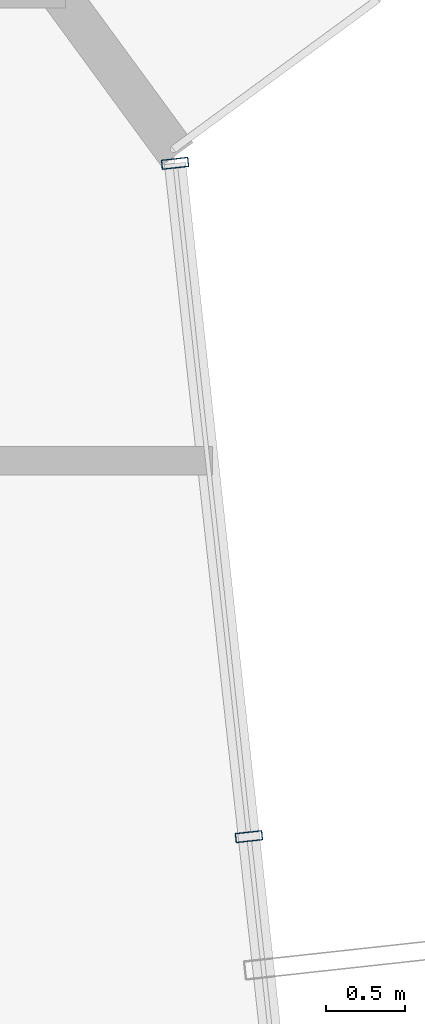
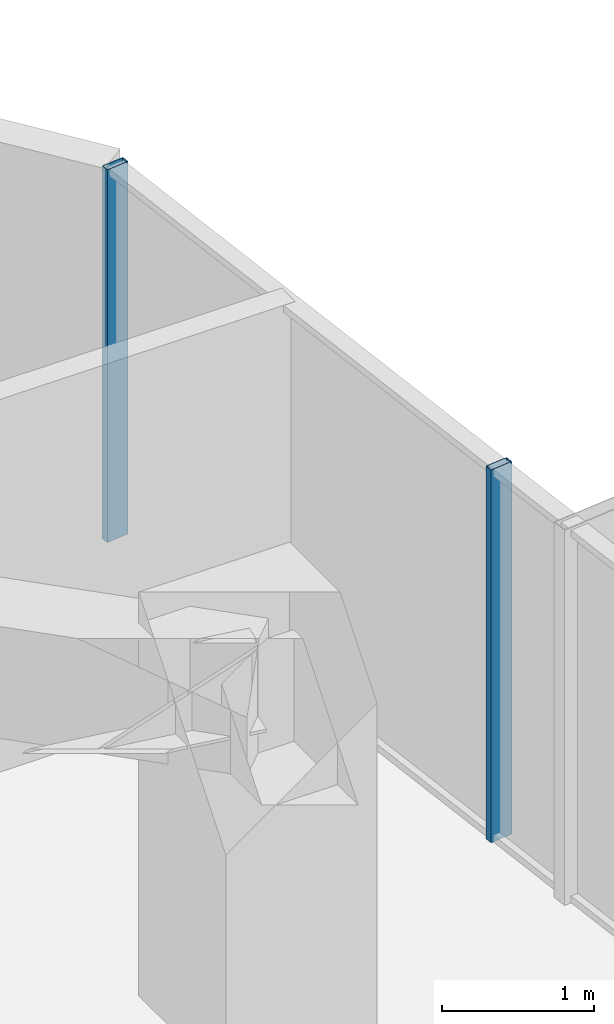
# One storey, part 18 of 34: 2 members, 1 element without a shape of its own.
"""IFC4 building model written with IfcOpenShell, lengths in metres."""

from ifc_helpers import new_model, si_unit, direction, frame, origin, origin_2d, place, context, subcontext, project, spatial, hollow_rectangle, extrude, source, transform, mapped, material, layer, layer_set, material_profile, profile_set, type_object, element, aggregate, save


model = new_model("IFC4")

# Units and contexts
model_context = context("Model", 3, precision=1e-05, world=origin(), true_north=direction((0.0, 1.0)))
body_context = subcontext(model_context, "Body", "Model", "MODEL_VIEW")
ifc_project = project(units=[si_unit("LENGTHUNIT", "METRE"), si_unit("AREAUNIT", "SQUARE_METRE"), si_unit("VOLUMEUNIT", "CUBIC_METRE"), si_unit("PLANEANGLEUNIT", "RADIAN"), si_unit("MASSUNIT", "GRAM", prefix="KILO")], contexts=[model_context])

# Site, building, storey
site_placement = place(None, origin())
site = spatial("IfcSite", under=ifc_project, at=site_placement, CompositionType="ELEMENT")
building_placement = place(site_placement, origin())
building = spatial("IfcBuilding", under=site, at=building_placement, Name="Veraguas Prism Commons", CompositionType="ELEMENT")
storey_placement = place(building_placement, frame((0.0, 0.0, 149.0)))
storey = spatial("IfcBuildingStorey", under=building, at=storey_placement, Name="L42", CompositionType="ELEMENT", Elevation=149.0)

# Curtain wall, members
ifc_material = material(Name="Anodised aluminium EN AW-6063 T6", Category="aluminium")
ifc_layer = layer(ifc_material, 0.169921875, Name="Unitised Flush Curtain Wall Zone 2", Category="aluminium")
ifc_layer_set = layer_set([ifc_layer], Name="Anodised aluminium EN AW-6063 T6")
curtain_wall_type = type_object("IfcCurtainWallType", Name="Unitised Flush Curtain Wall Zone 2", PredefinedType="NOTDEFINED", material=ifc_layer_set)
curtain_wall_placement = place(storey_placement, origin())
curtain_wall = element("IfcCurtainWall", 1, at=curtain_wall_placement, inside=storey, type_object=curtain_wall_type, Name="Tower Facade Curtain Wall L42-F6", PredefinedType="NOTDEFINED")
ifc_material_profile = material_profile(ifc_material, hollow_rectangle(XDim=0.06005859375, YDim=0.169921875, WallThickness=0.00390625, at=origin_2d()), Name="AL60X170X4")
ifc_profile_set = profile_set([ifc_material_profile], Name="Anodised aluminium EN AW-6063 T6")
member_type = type_object("IfcMemberType", Name="Curtain Wall Mullion Lower AL 60x170x4", PredefinedType="MULLION", material=ifc_profile_set)
shared_shape = source(origin(), body_context, "Body", "SweptSolid", [
    extrude(hollow_rectangle(XDim=0.06005859375, YDim=0.169921875, WallThickness=0.00390625, at=origin_2d()), origin(), (0.0, 0.0, 1.0), 3.0),
])
member_1_placement = place(storey_placement, frame((42.59814453125, 30.37451171875, 0.0), z_axis=(0.0, 0.0, 1.0), x_axis=(-0.109043838598, 0.994036941599, 0.0)))
member_1 = element("IfcMember", 2, at=member_1_placement, type_object=member_type, Name="CW-Z2 Mullion 4", PredefinedType="MULLION", context=body_context, shape_type="MappedRepresentation", body=[
    mapped(shared_shape, transform((0.0, 0.0, 0.0), scale=1.0)),
])
member_2_placement = place(storey_placement, frame((42.131591796875, 34.627685546875, 0.0), z_axis=(0.0, 0.0, 1.0), x_axis=(-0.109043838598, 0.994036941599, 0.0)))
member_2 = element("IfcMember", 3, at=member_2_placement, type_object=member_type, Name="CW-Z2 Mullion 5", PredefinedType="MULLION", context=body_context, shape_type="MappedRepresentation", body=[
    mapped(shared_shape, transform((0.0, 0.0, 0.0), scale=1.0)),
])
aggregate(curtain_wall, [member_1, member_2])

save(model, "model.ifc")
